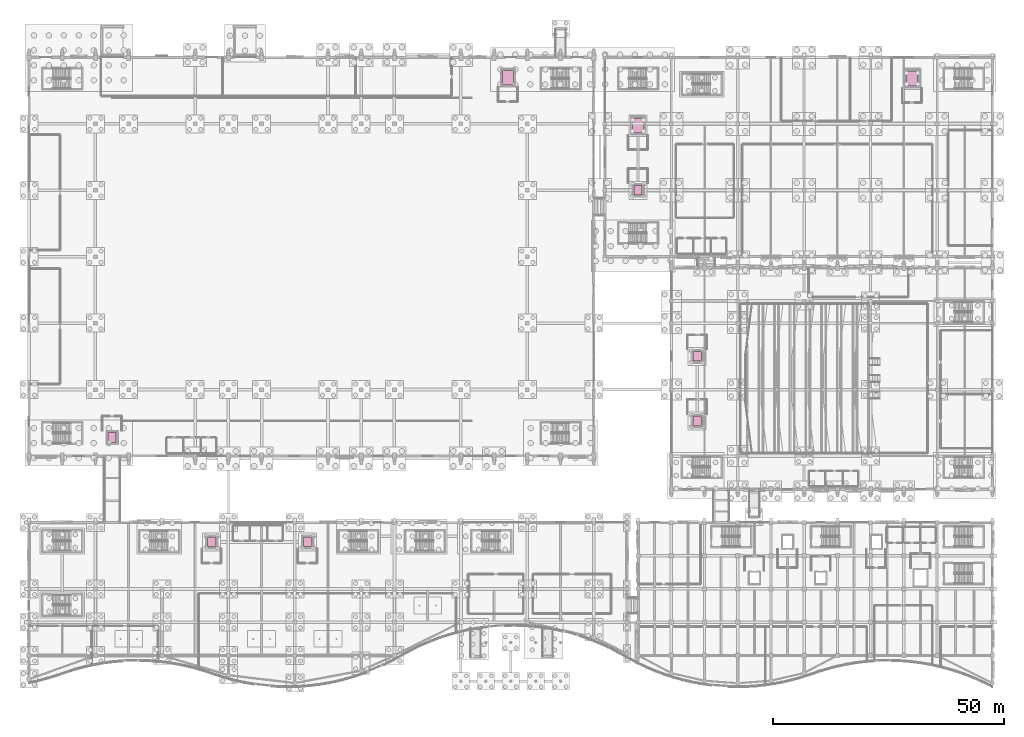
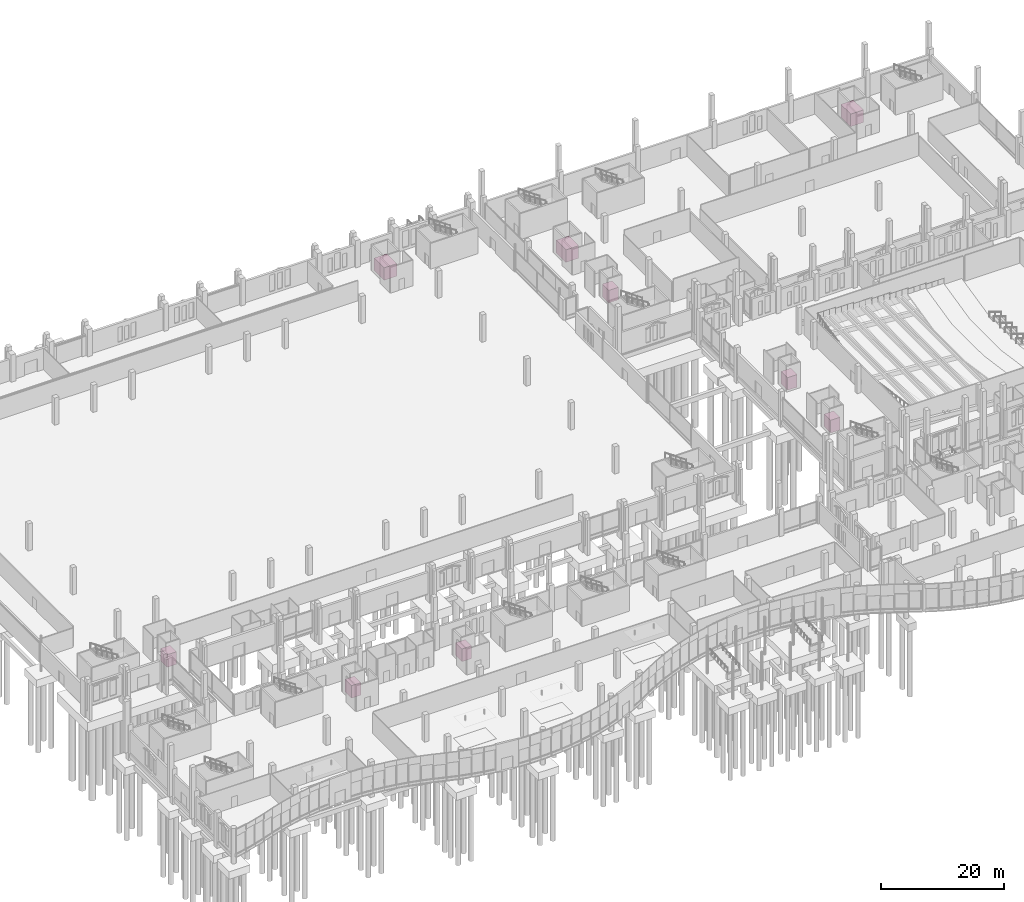
# One storey, part 192 of 192: 9 transport elements.
"""IFC4 building model written with IfcOpenShell, lengths in metres."""

from ifc_helpers import new_model, si_unit, direction, frame, origin, origin_2d, place, context, subcontext, project, spatial, rectangle, extrude, material, type_object, element, save


model = new_model("IFC4")

# Units and contexts
model_context = context("Model", 3, precision=1e-05, world=origin(), true_north=direction((0.0, 1.0)))
body_context = subcontext(model_context, "Body", "Model", "MODEL_VIEW")
ifc_project = project(units=[si_unit("LENGTHUNIT", "METRE"), si_unit("AREAUNIT", "SQUARE_METRE"), si_unit("VOLUMEUNIT", "CUBIC_METRE"), si_unit("PLANEANGLEUNIT", "RADIAN"), si_unit("MASSUNIT", "GRAM", prefix="KILO")], contexts=[model_context])

# Site, building, storey
site_placement = place(None, origin())
site = spatial("IfcSite", under=ifc_project, at=site_placement, CompositionType="ELEMENT")
building_placement = place(site_placement, origin())
building = spatial("IfcBuilding", under=site, at=building_placement, Name="Cendralis Lancet Convention Centre", CompositionType="ELEMENT")
storey_placement = place(building_placement, origin())
storey = spatial("IfcBuildingStorey", under=building, at=storey_placement, Name="L00", CompositionType="ELEMENT", Elevation=0.0)

# Transport elements
ifc_material = material(Name="Steel S355", Category="steel")
transport_element_type_1 = type_object("IfcTransportElementType", Name="ARC-LF-GD45", PredefinedType="ELEVATOR", material=ifc_material)
for number, where, z_axis, x_axis, name in (
    (1, (103.800048828125, 132.39990234375, 0.0), (0.0, 0.0, 1.0), (1.0, 0.0, 0.0), "Passenger/Goods Lift LG-01"),
    (2, (132.0, 122.0, 0.0), (0.0, 0.0, 1.0), (1.0, 0.0, 0.0), "Passenger/Goods Lift LG-02"),
    (3, (191.39990234375, 132.199951171875, 0.0), (0.0, 0.0, 1.0), (1.0, 0.0, 0.0), "Passenger/Goods Lift LG-03"),
):
    element("IfcTransportElement", number, at=place(storey_placement, frame(where, z_axis=z_axis, x_axis=x_axis)), inside=storey, type_object=transport_element_type_1, Name=name, PredefinedType="ELEVATOR", context=body_context, shape_type="SweptSolid", body=[
        extrude(rectangle(XDim=2.39990234375, YDim=3.199951171875, at=origin_2d()), origin(), (0.0, 0.0, 1.0), 2.5),
    ])
transport_element_type_2 = type_object("IfcTransportElementType", Name="ARC-LF-PA16", PredefinedType="ELEVATOR", material=ifc_material)
for number, where, z_axis, x_axis, name in (
    (4, (39.60009765625, 31.800048828125, 0.0), (0.0, 0.0, 1.0), (1.0, 0.0, 0.0), "Passenger/Goods Lift LP-03"),
    (5, (60.39990234375, 31.800048828125, 0.0), (0.0, 0.0, 1.0), (1.0, 0.0, 0.0), "Passenger/Goods Lift LP-04"),
    (6, (144.800048828125, 58.0, 0.0), (0.0, 0.0, 1.0), (1.0, 0.0, 0.0), "Passenger/Goods Lift LP-05"),
    (7, (144.800048828125, 72.0, 0.0), (0.0, 0.0, 1.0), (1.0, 0.0, 0.0), "Passenger/Goods Lift LP-06"),
    (8, (132.0, 108.0, 0.0), (0.0, 0.0, 1.0), (1.0, 0.0, 0.0), "Passenger/Goods Lift LP-07"),
    (9, (18.0, 54.39990234375, 0.0), (0.0, 0.0, 1.0), (1.0, 0.0, 0.0), "Passenger/Goods Lift LP-08"),
):
    element("IfcTransportElement", number, at=place(storey_placement, frame(where, z_axis=z_axis, x_axis=x_axis)), inside=storey, type_object=transport_element_type_2, Name=name, PredefinedType="ELEVATOR", context=body_context, shape_type="SweptSolid", body=[
        extrude(rectangle(XDim=1.800048828125, YDim=2.10009765625, at=origin_2d()), origin(), (0.0, 0.0, 1.0), 2.5),
    ])

save(model, "model.ifc")
